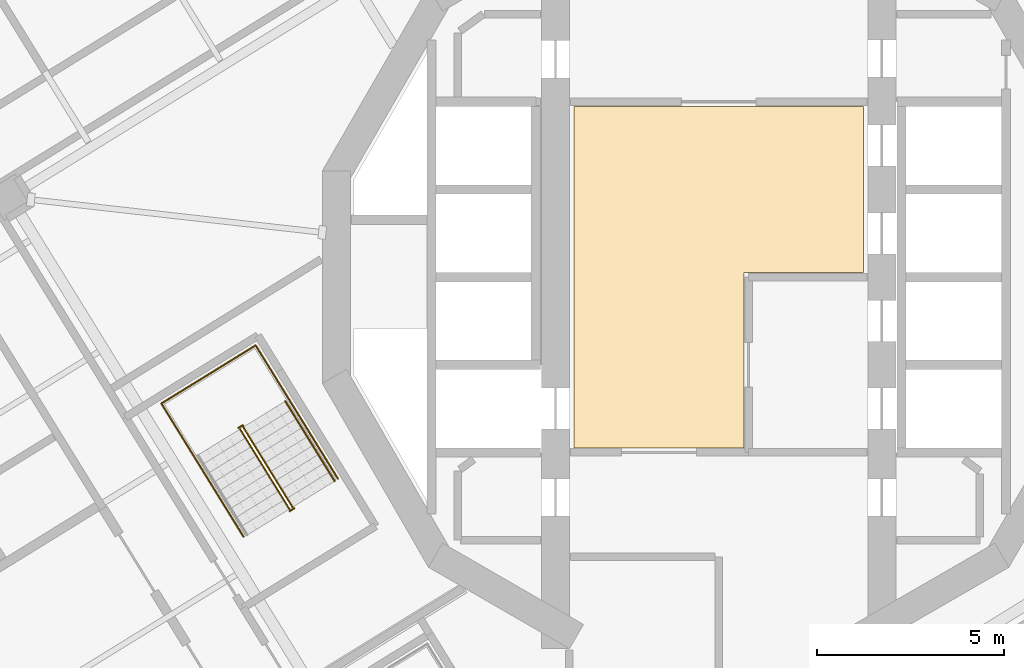
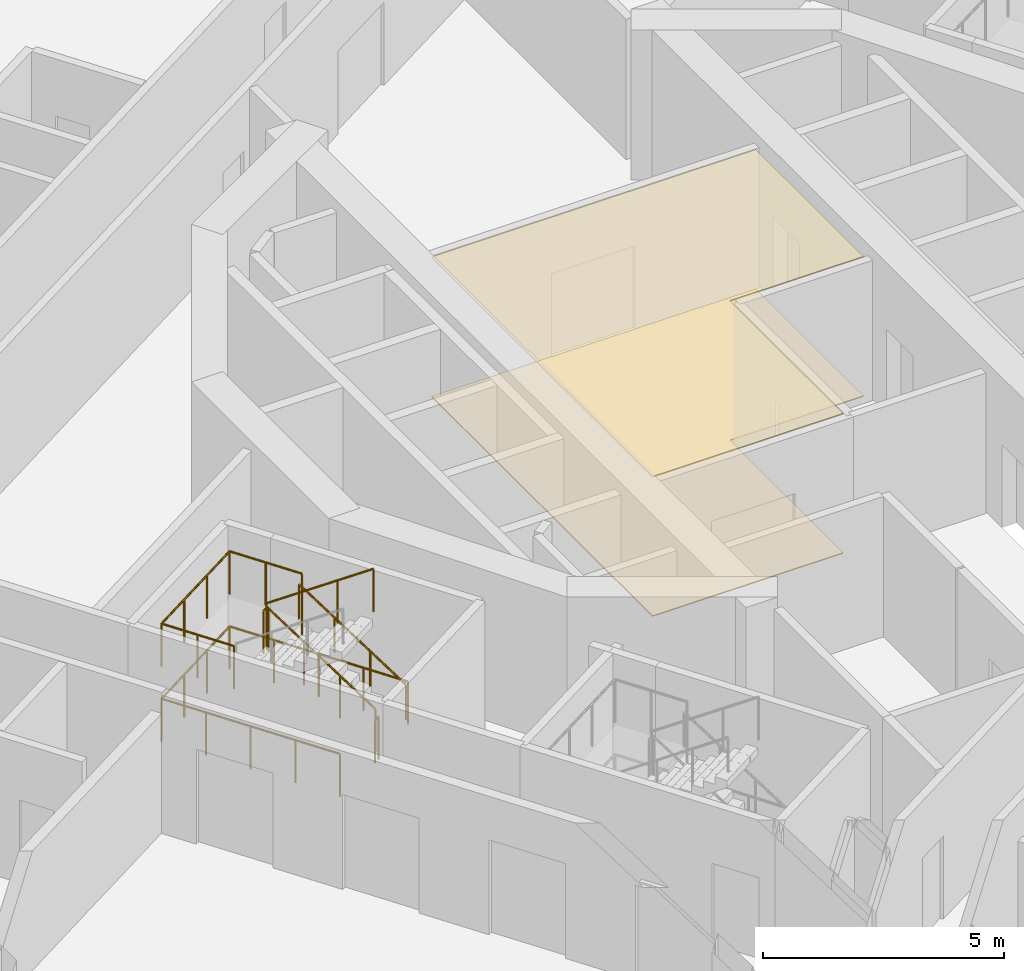
# One storey, part 15 of 20: 6 railings, 2 coverings.
"""IFC4 building model written with IfcOpenShell, lengths in metres."""

from ifc_helpers import new_model, si_unit, direction, frame, origin, origin_2d, place, context, subcontext, project, spatial, polyline, circle, outline, extrude, material, layer, layer_set, type_object, element, save


model = new_model("IFC4")

# Units and contexts
model_context = context("Model", 3, precision=1e-05, world=origin(), true_north=direction((0.0, 1.0)))
body_context = subcontext(model_context, "Body", "Model", "MODEL_VIEW")
ifc_project = project(units=[si_unit("LENGTHUNIT", "METRE"), si_unit("AREAUNIT", "SQUARE_METRE"), si_unit("VOLUMEUNIT", "CUBIC_METRE"), si_unit("PLANEANGLEUNIT", "RADIAN"), si_unit("MASSUNIT", "GRAM", prefix="KILO")], contexts=[model_context])

# Site, building, storey
site_placement = place(None, origin())
site = spatial("IfcSite", under=ifc_project, at=site_placement, CompositionType="ELEMENT")
building_placement = place(site_placement, origin())
building = spatial("IfcBuilding", under=site, at=building_placement, Name="Cantera Rosa Tower", CompositionType="ELEMENT")
storey_placement = place(building_placement, frame((0.0, 0.0, 159.0)))
storey = spatial("IfcBuildingStorey", under=building, at=storey_placement, Name="L34", CompositionType="ELEMENT", Elevation=159.0)

# Railings
ifc_material_1 = material(Name="Steel S355J2 (EN 10025-2)", Category="steel")
railing_type_1 = type_object("IfcRailingType", Name="STAIR GUARD 1100", PredefinedType="GUARDRAIL", material=ifc_material_1)
railing_1_placement = place(storey_placement, frame((-11.42333984375, -6.165771484375, 0.18994140625)))
element("IfcRailing", 1, at=railing_1_placement, inside=storey, type_object=railing_type_1, Name="L34 ST-32 stair guard 1", PredefinedType="GUARDRAIL", context=body_context, shape_type="SweptSolid", body=[
    extrude(circle(Radius=0.02392578125, at=origin_2d()), frame((0.0, 0.0, 1.076171875), z_axis=(-0.434427613125, 0.704271375033, 0.561493080334), x_axis=(-0.851102330005, -0.524999832248, 0.0)), (0.0, 0.0, 1.0), 3.04541015625),
    extrude(circle(Radius=0.02392578125, at=origin_2d()), frame((-1.322998046875, 2.144775390625, 2.7861328125), z_axis=(-0.073711968402, 0.997279572494, 0.0), x_axis=(-0.997279572494, -0.073711968402, 0.0)), (0.0, 0.0, 1.0), 0.056396484375),
    extrude(circle(Radius=0.02392578125, at=origin_2d()), frame((-1.3271484375, 2.200927734375, 2.7861328125), z_axis=(-0.851546489876, -0.524279100842, 0.0), x_axis=(0.524279100842, -0.851546489876, 0.0)), (0.0, 0.0, 1.0), 0.14990234375),
    extrude(circle(Radius=0.02099609375, at=origin_2d()), origin(), (0.0, 0.0, 1.0), 1.052001953125),
    extrude(circle(Radius=0.02099609375, at=origin_2d()), frame((-0.44091796875, 0.71484375, 0.570068359375)), (0.0, 0.0, 1.0), 1.052001953125),
    extrude(circle(Radius=0.02099609375, at=origin_2d()), frame((-0.882080078125, 1.429931640625, 1.139892578125)), (0.0, 0.0, 1.0), 1.052001953125),
    extrude(circle(Radius=0.02099609375, at=origin_2d()), frame((-1.322998046875, 2.144775390625, 1.7099609375)), (0.0, 0.0, 1.0), 1.052001953125),
    extrude(circle(Radius=0.02099609375, at=origin_2d()), frame((-1.3271484375, 2.200927734375, 1.7099609375)), (0.0, 0.0, 1.0), 1.052001953125),
    extrude(circle(Radius=0.02099609375, at=origin_2d()), frame((-1.454833984375, 2.122314453125, 1.7099609375)), (0.0, 0.0, 1.0), 1.052001953125),
])
railing_2_placement = place(storey_placement, frame((-12.82958984375, -4.072509765625, 2.090087890625)))
element("IfcRailing", 2, at=railing_2_placement, inside=storey, type_object=railing_type_1, Name="L34 ST-32 stair guard 2", PredefinedType="GUARDRAIL", context=body_context, shape_type="SweptSolid", body=[
    extrude(circle(Radius=0.02392578125, at=origin_2d()), frame((0.0, 0.0, 1.076171875), z_axis=(0.434362572038, -0.70429590169, 0.561512634654), x_axis=(0.851145618652, 0.524929648476, 0.0)), (0.0, 0.0, 1.0), 3.045166015625),
    extrude(circle(Radius=0.02099609375, at=origin_2d()), origin(), (0.0, 0.0, 1.0), 1.052001953125),
    extrude(circle(Radius=0.02099609375, at=origin_2d()), frame((0.44091796875, -0.71484375, 0.570068359375)), (0.0, 0.0, 1.0), 1.052001953125),
    extrude(circle(Radius=0.02099609375, at=origin_2d()), frame((0.8818359375, -1.429931640625, 1.139892578125)), (0.0, 0.0, 1.0), 1.052001953125),
    extrude(circle(Radius=0.02099609375, at=origin_2d()), frame((1.32275390625, -2.144775390625, 1.7099609375)), (0.0, 0.0, 1.0), 1.052001953125),
])
railing_3_placement = place(storey_placement, frame((-11.375, -6.19482421875, 0.0)))
element("IfcRailing", 3, at=railing_3_placement, inside=storey, type_object=railing_type_1, Name="L34 ST-32 stair guard 3", PredefinedType="GUARDRAIL", context=body_context, shape_type="SweptSolid", body=[
    extrude(circle(Radius=0.02392578125, at=origin_2d()), frame((0.0, 0.0, 1.076171875), z_axis=(-0.851546489876, -0.524279100842, 0.0), x_axis=(0.524279100842, -0.851546489876, 0.0)), (0.0, 0.0, 1.0), 0.14990234375),
    extrude(circle(Radius=0.02099609375, at=origin_2d()), origin(), (0.0, 0.0, 1.0), 1.052001953125),
    extrude(circle(Radius=0.02099609375, at=origin_2d()), frame((-0.127685546875, -0.07861328125, 0.0)), (0.0, 0.0, 1.0), 1.052001953125),
])
railing_4_placement = place(storey_placement, frame((-10.20751953125, -5.40185546875, 0.0)))
element("IfcRailing", 4, at=railing_4_placement, inside=storey, type_object=railing_type_1, Name="L34 ST-32 stair guard 4", PredefinedType="GUARDRAIL", context=body_context, shape_type="SweptSolid", body=[
    extrude(circle(Radius=0.02392578125, at=origin_2d()), frame((0.0, 0.0, 1.076171875), z_axis=(-0.524976478809, 0.851116735059, 0.0), x_axis=(-0.851116735059, -0.524976478809, 0.0)), (0.0, 0.0, 1.0), 4.197998046875),
    extrude(circle(Radius=0.02392578125, at=origin_2d()), frame((-2.203857421875, 3.572998046875, 1.076171875), z_axis=(-0.851132917336, -0.524950242429, 0.0), x_axis=(0.524950242429, -0.851132917336, 0.0)), (0.0, 0.0, 1.0), 2.969970703125),
    extrude(circle(Radius=0.02392578125, at=origin_2d()), frame((-4.731689453125, 2.013916015625, 1.076171875), z_axis=(0.524976478809, -0.851116735059, 0.0), x_axis=(0.851116735059, 0.524976478809, 0.0)), (0.0, 0.0, 1.0), 4.197998046875),
    extrude(circle(Radius=0.02099609375, at=origin_2d()), origin(), (0.0, 0.0, 1.0), 1.052001953125),
    extrude(circle(Radius=0.02099609375, at=origin_2d()), frame((-0.551025390625, 0.893310546875, 0.0)), (0.0, 0.0, 1.0), 1.052001953125),
    extrude(circle(Radius=0.02099609375, at=origin_2d()), frame((-1.10205078125, 1.78662109375, 0.0)), (0.0, 0.0, 1.0), 1.052001953125),
    extrude(circle(Radius=0.02099609375, at=origin_2d()), frame((-1.65283203125, 2.6796875, 0.0)), (0.0, 0.0, 1.0), 1.052001953125),
    extrude(circle(Radius=0.02099609375, at=origin_2d()), frame((-2.203857421875, 3.572998046875, 0.0)), (0.0, 0.0, 1.0), 1.052001953125),
    extrude(circle(Radius=0.02099609375, at=origin_2d()), frame((-3.04638671875, 3.05322265625, 0.0)), (0.0, 0.0, 1.0), 1.052001953125),
    extrude(circle(Radius=0.02099609375, at=origin_2d()), frame((-3.88916015625, 2.53369140625, 0.0)), (0.0, 0.0, 1.0), 1.052001953125),
    extrude(circle(Radius=0.02099609375, at=origin_2d()), frame((-4.731689453125, 2.013916015625, 0.0)), (0.0, 0.0, 1.0), 1.052001953125),
    extrude(circle(Radius=0.02099609375, at=origin_2d()), frame((-4.1806640625, 1.12060546875, 0.0)), (0.0, 0.0, 1.0), 1.052001953125),
    extrude(circle(Radius=0.02099609375, at=origin_2d()), frame((-3.6298828125, 0.2275390625, 0.0)), (0.0, 0.0, 1.0), 1.052001953125),
    extrude(circle(Radius=0.02099609375, at=origin_2d()), frame((-3.078857421875, -0.665771484375, 0.0)), (0.0, 0.0, 1.0), 1.052001953125),
    extrude(circle(Radius=0.02099609375, at=origin_2d()), frame((-2.52783203125, -1.55908203125, 0.0)), (0.0, 0.0, 1.0), 1.052001953125),
])
railing_5_placement = place(storey_placement, frame((-11.517822265625, -3.27734375, 1.89990234375)))
element("IfcRailing", 5, at=railing_5_placement, inside=storey, type_object=railing_type_1, Name="L34 ST-32 stair guard 5", PredefinedType="GUARDRAIL", context=body_context, shape_type="SweptSolid", body=[
    extrude(circle(Radius=0.02392578125, at=origin_2d()), frame((0.0, 0.0, 1.076171875), z_axis=(-0.525025534833, 0.851086474909, 0.0), x_axis=(-0.851086474909, -0.525025534833, 0.0)), (0.0, 0.0, 1.0), 1.701904296875),
    extrude(circle(Radius=0.02392578125, at=origin_2d()), frame((-0.8935546875, 1.448486328125, 1.076171875), z_axis=(-0.851132917336, -0.524950242429, 0.0), x_axis=(0.524950242429, -0.851132917336, 0.0)), (0.0, 0.0, 1.0), 2.969970703125),
    extrude(circle(Radius=0.02392578125, at=origin_2d()), frame((-3.42138671875, -0.110595703125, 1.076171875), z_axis=(0.524961441845, -0.851126009811, 0.0), x_axis=(0.851126009811, 0.524961441845, 0.0)), (0.0, 0.0, 1.0), 1.7021484375),
    extrude(circle(Radius=0.02099609375, at=origin_2d()), origin(), (0.0, 0.0, 1.0), 1.052001953125),
    extrude(circle(Radius=0.02099609375, at=origin_2d()), frame((-0.44677734375, 0.72412109375, 0.0)), (0.0, 0.0, 1.0), 1.052001953125),
    extrude(circle(Radius=0.02099609375, at=origin_2d()), frame((-0.8935546875, 1.448486328125, 0.0)), (0.0, 0.0, 1.0), 1.052001953125),
    extrude(circle(Radius=0.02099609375, at=origin_2d()), frame((-1.736083984375, 0.9287109375, 0.0)), (0.0, 0.0, 1.0), 1.052001953125),
    extrude(circle(Radius=0.02099609375, at=origin_2d()), frame((-2.578857421875, 0.4091796875, 0.0)), (0.0, 0.0, 1.0), 1.052001953125),
    extrude(circle(Radius=0.02099609375, at=origin_2d()), frame((-3.42138671875, -0.110595703125, 0.0)), (0.0, 0.0, 1.0), 1.052001953125),
    extrude(circle(Radius=0.02099609375, at=origin_2d()), frame((-2.974609375, -0.8349609375, 0.0)), (0.0, 0.0, 1.0), 1.052001953125),
    extrude(circle(Radius=0.02099609375, at=origin_2d()), frame((-2.52783203125, -1.559326171875, 0.0)), (0.0, 0.0, 1.0), 1.052001953125),
])
ifc_material_2 = material(Name="Steel S355J2 (EN 10025-2)", Category="steel")
railing_type_2 = type_object("IfcRailingType", Name="STAIR HANDRAIL 900", PredefinedType="HANDRAIL", material=ifc_material_2)
railing_6_placement = place(storey_placement, frame((-10.294677734375, -5.4697265625, 0.18994140625)))
element("IfcRailing", 6, at=railing_6_placement, inside=storey, type_object=railing_type_2, Name="L34 ST-32 stair handrail 1", PredefinedType="HANDRAIL", context=body_context, shape_type="SweptSolid", body=[
    extrude(circle(Radius=0.02392578125, at=origin_2d()), frame((0.0, 0.0, 0.8759765625), z_axis=(-0.434427613125, 0.704271375033, 0.561493080334), x_axis=(-0.851102330005, -0.524999832248, 0.0)), (0.0, 0.0, 1.0), 3.04541015625),
    extrude(circle(Radius=0.02099609375, at=origin_2d()), origin(), (0.0, 0.0, 1.0), 0.851806640625),
    extrude(circle(Radius=0.02099609375, at=origin_2d()), frame((-0.44091796875, 0.71484375, 0.570068359375)), (0.0, 0.0, 1.0), 0.851806640625),
    extrude(circle(Radius=0.02099609375, at=origin_2d()), frame((-0.882080078125, 1.429931640625, 1.139892578125)), (0.0, 0.0, 1.0), 0.851806640625),
    extrude(circle(Radius=0.02099609375, at=origin_2d()), frame((-1.322998046875, 2.144775390625, 1.7099609375)), (0.0, 0.0, 1.0), 0.851806640625),
])

# Coverings
ifc_material_3 = material(Name="Limestone paving", Category="masonry")
ifc_layer_1 = layer(ifc_material_3, 0.02490234375)
ifc_layer_set_1 = layer_set([ifc_layer_1], Name="STONE FLOOR FINISH 25")
covering_type_1 = type_object("IfcCoveringType", Name="STONE FLOOR FINISH 25", PredefinedType="FLOORING", material=ifc_layer_set_1)
covering_1_placement = place(storey_placement, origin())
element("IfcCovering", 7, at=covering_1_placement, inside=storey, type_object=covering_type_1, Name="STONE FLOOR FINISH L34", PredefinedType="FLOORING", context=body_context, shape_type="SweptSolid", body=[
    extrude(outline(polyline([(3.8798828125, 4.580078125), (3.8798828125, 0.1201171875), (0.679931640625, 0.1201171875), (0.679931640625, -4.580078125), (-3.8798828125, -4.580078125), (-3.8798828125, 4.580078125), (3.8798828125, 4.580078125)])), origin(), (0.0, 0.0, 1.0), 0.02490234375),
])
ifc_material_4 = material(Name="Gypsum ceiling tile")
ifc_layer_2 = layer(ifc_material_4, 0.030029296875)
ifc_layer_set_2 = layer_set([ifc_layer_2], Name="SUSPENDED CEILING 30")
covering_type_2 = type_object("IfcCoveringType", Name="SUSPENDED CEILING 30", PredefinedType="CEILING", material=ifc_layer_set_2)
covering_2_placement = place(storey_placement, frame((0.0, 0.0, 3.52001953125)))
element("IfcCovering", 8, at=covering_2_placement, inside=storey, type_object=covering_type_2, Name="SUSPENDED CEILING L34", PredefinedType="CEILING", context=body_context, shape_type="SweptSolid", body=[
    extrude(outline(polyline([(3.8798828125, 4.580078125), (3.8798828125, 0.1201171875), (0.679931640625, 0.1201171875), (0.679931640625, -4.580078125), (-3.8798828125, -4.580078125), (-3.8798828125, 4.580078125), (3.8798828125, 4.580078125)])), origin(), (0.0, 0.0, 1.0), 0.030029296875),
])

save(model, "model.ifc")
